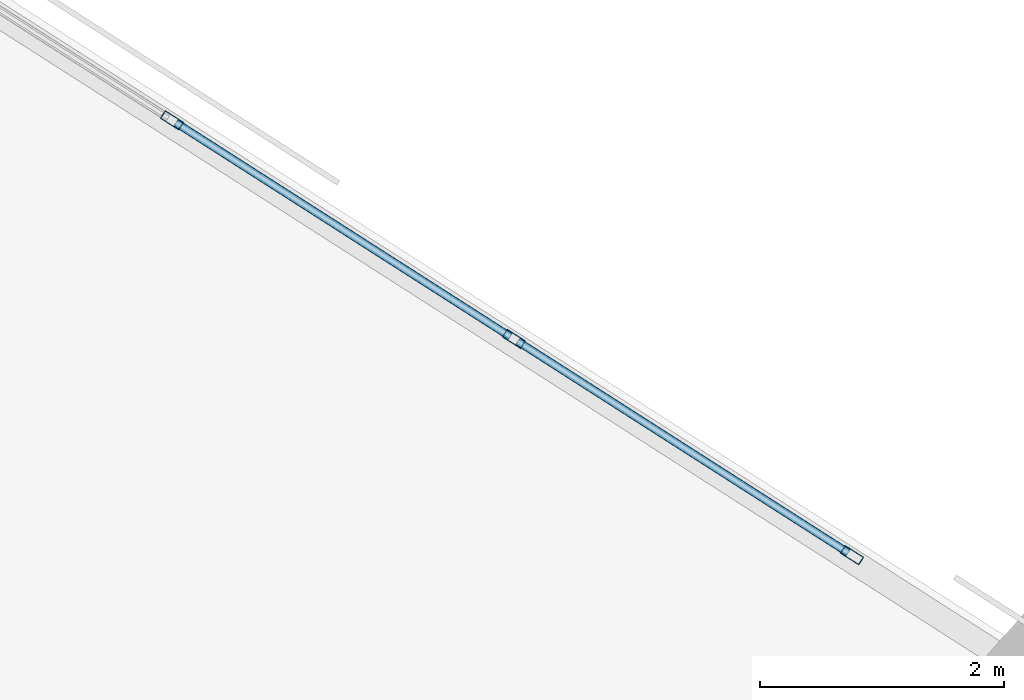
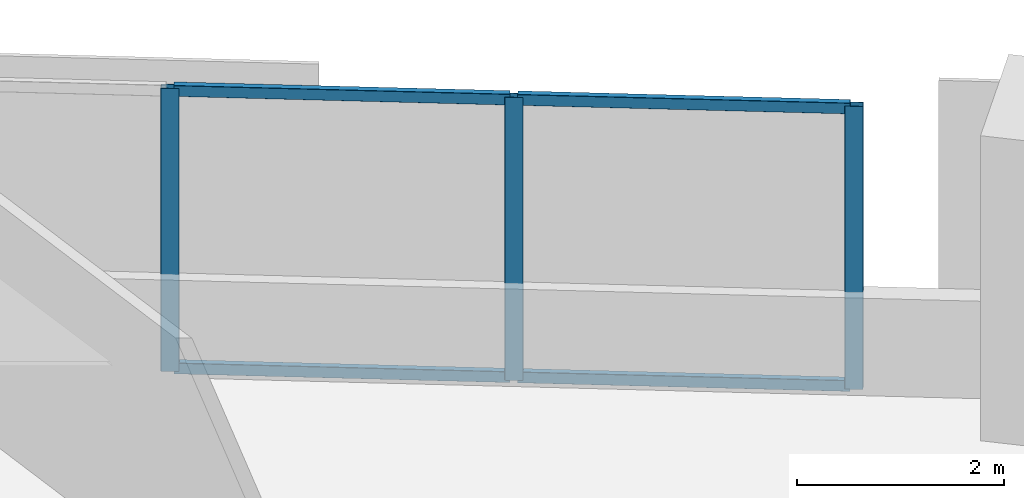
# One storey, part 10 of 16: 7 members, 1 element without a shape of its own.
"""IFC4 building model written with IfcOpenShell, lengths in metres."""

from ifc_helpers import new_model, si_unit, direction, frame, origin, origin_2d, place, context, subcontext, project, spatial, hollow_rectangle, extrude, material, material_profile, profile_set, type_object, element, aggregate, save


model = new_model("IFC4")

# Units and contexts
model_context = context("Model", 3, precision=1e-05, world=origin(), true_north=direction((0.0, 1.0)))
body_context = subcontext(model_context, "Body", "Model", "MODEL_VIEW")
ifc_project = project(units=[si_unit("LENGTHUNIT", "METRE"), si_unit("AREAUNIT", "SQUARE_METRE"), si_unit("VOLUMEUNIT", "CUBIC_METRE"), si_unit("PLANEANGLEUNIT", "RADIAN"), si_unit("MASSUNIT", "GRAM", prefix="KILO")], contexts=[model_context])

# Site, building, storey
site_placement = place(None, origin())
site = spatial("IfcSite", under=ifc_project, at=site_placement, CompositionType="ELEMENT")
building_placement = place(site_placement, origin())
building = spatial("IfcBuilding", under=site, at=building_placement, Name="Narakoshi Arena Tower", CompositionType="ELEMENT")
storey_placement = place(building_placement, frame((0.0, 0.0, 81.300048828125)))
storey = spatial("IfcBuildingStorey", under=building, at=storey_placement, Name="L21", CompositionType="ELEMENT", Elevation=81.300048828125)

# Curtain wall, members
ifc_material = material(Name="Anodised bronze aluminium 6063-T6", Category="aluminium")
curtain_wall_type = type_object("IfcCurtainWallType", Name="CW-HYP-LOW", PredefinedType="NOTDEFINED", material=ifc_material)
curtain_wall_placement = place(storey_placement, origin())
curtain_wall = element("IfcCurtainWall", 1, at=curtain_wall_placement, inside=storey, type_object=curtain_wall_type, Name="L21 Folded Hypotenuse Curtain Wall 2-2", PredefinedType="NOTDEFINED")
ifc_material_profile_1 = material_profile(ifc_material, hollow_rectangle(XDim=0.074951171875, YDim=0.179931640625, WallThickness=0.00390625, OuterFilletRadius=0.0048828125, at=origin_2d()), Name="MUL180x75x4")
ifc_profile_set_1 = profile_set([ifc_material_profile_1], Name="Anodised bronze aluminium 6063-T6")
member_type_1 = type_object("IfcMemberType", Name="MEM-MUL-180", PredefinedType="MULLION", material=ifc_profile_set_1)
member_1_placement = place(storey_placement, frame((83.41943359375, 66.22705078125, 0.0), z_axis=(0.0, 0.0, 1.0), x_axis=(-0.538829098714, -0.842415100992, 0.0)))
member_1 = element("IfcMember", 2, at=member_1_placement, type_object=member_type_1, Name="CW-01 mullion 1", PredefinedType="MULLION", context=body_context, shape_type="SweptSolid", body=[
    extrude(hollow_rectangle(XDim=0.074951171875, YDim=0.179931640625, WallThickness=0.00390625, OuterFilletRadius=0.0048828125, at=origin_2d()), origin(), (0.0, 0.0, 1.0), 3.33984375),
])
member_2_placement = place(storey_placement, frame((80.6474609375, 68.000244140625, 0.0), z_axis=(0.0, 0.0, 1.0), x_axis=(-0.538829098714, -0.842415100992, 0.0)))
member_2 = element("IfcMember", 3, at=member_2_placement, type_object=member_type_1, Name="CW-01 mullion 2", PredefinedType="MULLION", context=body_context, shape_type="SweptSolid", body=[
    extrude(hollow_rectangle(XDim=0.074951171875, YDim=0.179931640625, WallThickness=0.00390625, OuterFilletRadius=0.0048828125, at=origin_2d()), origin(), (0.0, 0.0, 1.0), 3.33984375),
])
member_3_placement = place(storey_placement, frame((77.843505859375, 69.79345703125, 0.0), z_axis=(0.0, 0.0, 1.0), x_axis=(-0.538829098714, -0.842415100992, 0.0)))
member_3 = element("IfcMember", 4, at=member_3_placement, type_object=member_type_1, Name="CW-01 mullion 3", PredefinedType="MULLION", context=body_context, shape_type="SweptSolid", body=[
    extrude(hollow_rectangle(XDim=0.074951171875, YDim=0.179931640625, WallThickness=0.00390625, OuterFilletRadius=0.0048828125, at=origin_2d()), origin(), (0.0, 0.0, 1.0), 3.33984375),
])
ifc_material_profile_2 = material_profile(ifc_material, hollow_rectangle(XDim=0.06494140625, YDim=0.1298828125, WallThickness=0.00390625, OuterFilletRadius=0.0048828125, at=origin_2d()), Name="TRN130x65x4")
ifc_profile_set_2 = profile_set([ifc_material_profile_2], Name="Anodised bronze aluminium 6063-T6")
member_type_2 = type_object("IfcMemberType", Name="MEM-TRN-130", PredefinedType="USERDEFINED", material=ifc_profile_set_2)
member_4_placement = place(storey_placement, frame((83.387939453125, 66.247314453125, 0.032470703125), z_axis=(-0.842424416084, 0.538814535053, 0.0), x_axis=(-0.538814535053, -0.842424416084, 0.0)))
member_4 = element("IfcMember", 5, at=member_4_placement, type_object=member_type_2, Name="CW-01 transom 1.1", ObjectType="TRANSOM", PredefinedType="USERDEFINED", context=body_context, shape_type="SweptSolid", body=[
    extrude(hollow_rectangle(XDim=0.06494140625, YDim=0.1298828125, WallThickness=0.00390625, OuterFilletRadius=0.0048828125, at=origin_2d()), origin(), (0.0, 0.0, 1.0), 3.2158203125),
])
member_5_placement = place(storey_placement, frame((83.387939453125, 66.247314453125, 3.307373046875), z_axis=(-0.842424416084, 0.538814535053, 0.0), x_axis=(-0.538814535053, -0.842424416084, 0.0)))
member_5 = element("IfcMember", 6, at=member_5_placement, type_object=member_type_2, Name="CW-01 transom 1.2", ObjectType="TRANSOM", PredefinedType="USERDEFINED", context=body_context, shape_type="SweptSolid", body=[
    extrude(hollow_rectangle(XDim=0.06494140625, YDim=0.1298828125, WallThickness=0.00390625, OuterFilletRadius=0.0048828125, at=origin_2d()), origin(), (0.0, 0.0, 1.0), 3.2158203125),
])
member_6_placement = place(storey_placement, frame((80.61572265625, 68.020263671875, 0.032470703125), z_axis=(-0.842407668774, 0.5388407182, 0.0), x_axis=(-0.5388407182, -0.842407668774, 0.0)))
member_6 = element("IfcMember", 7, at=member_6_placement, type_object=member_type_2, Name="CW-01 transom 2.1", ObjectType="TRANSOM", PredefinedType="USERDEFINED", context=body_context, shape_type="SweptSolid", body=[
    extrude(hollow_rectangle(XDim=0.06494140625, YDim=0.1298828125, WallThickness=0.00390625, OuterFilletRadius=0.0048828125, at=origin_2d()), origin(), (0.0, 0.0, 1.0), 3.253173828125),
])
member_7_placement = place(storey_placement, frame((80.61572265625, 68.020263671875, 3.307373046875), z_axis=(-0.842407668774, 0.5388407182, 0.0), x_axis=(-0.5388407182, -0.842407668774, 0.0)))
member_7 = element("IfcMember", 8, at=member_7_placement, type_object=member_type_2, Name="CW-01 transom 2.2", ObjectType="TRANSOM", PredefinedType="USERDEFINED", context=body_context, shape_type="SweptSolid", body=[
    extrude(hollow_rectangle(XDim=0.06494140625, YDim=0.1298828125, WallThickness=0.00390625, OuterFilletRadius=0.0048828125, at=origin_2d()), origin(), (0.0, 0.0, 1.0), 3.253173828125),
])
aggregate(curtain_wall, [member_1, member_2, member_3, member_4, member_5, member_6, member_7])

save(model, "model.ifc")
